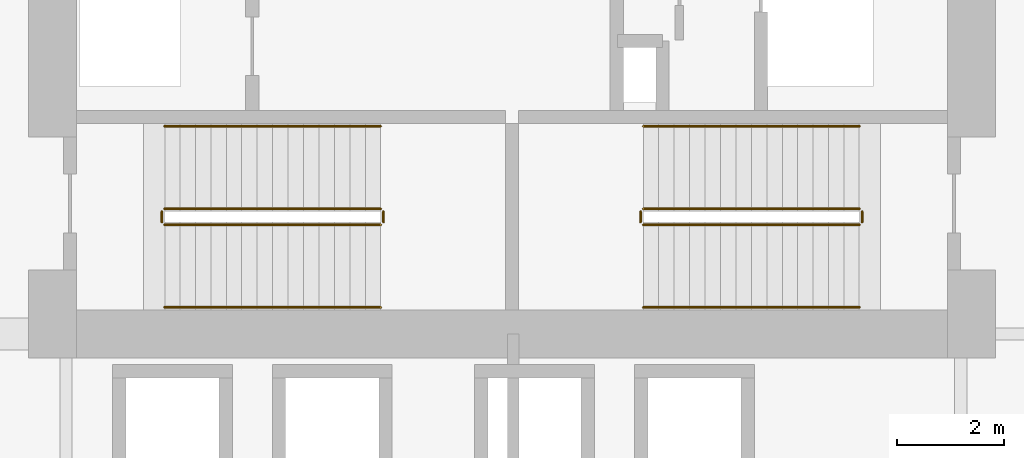
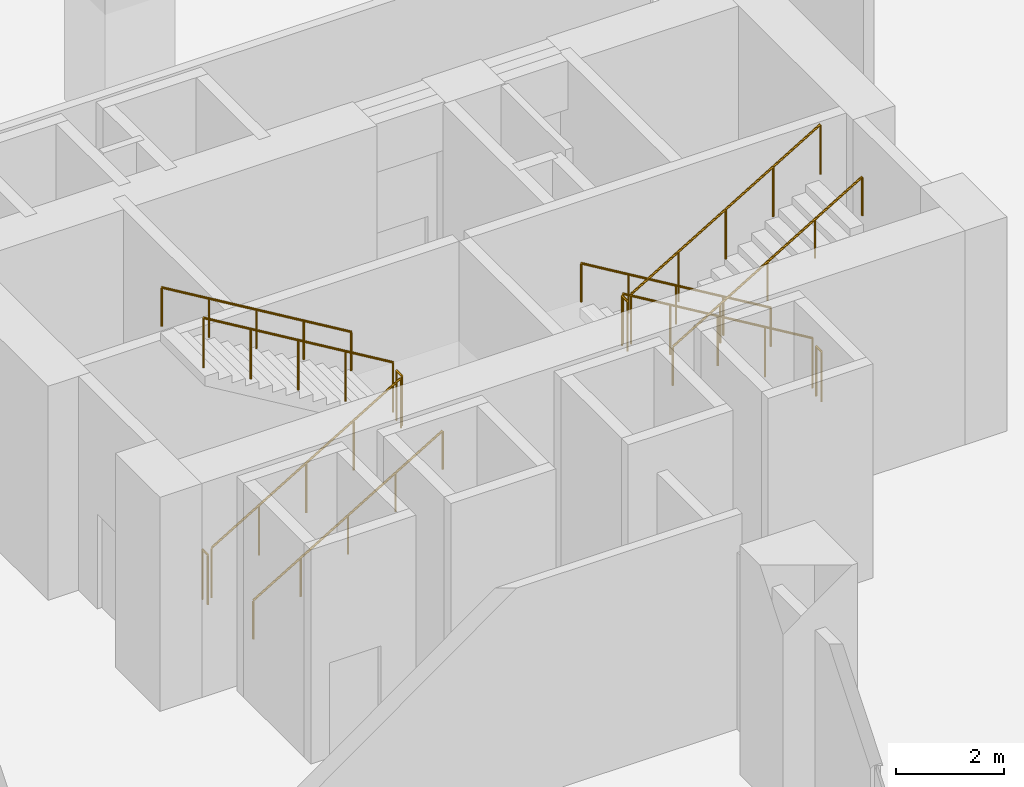
# One storey, part 17 of 19: 12 railings.
"""IFC4 building model written with IfcOpenShell, lengths in metres."""

from ifc_helpers import new_model, si_unit, direction, frame, origin, origin_2d, place, context, subcontext, project, spatial, circle, extrude, material, type_object, element, save


model = new_model("IFC4")

# Units and contexts
model_context = context("Model", 3, precision=1e-05, world=origin(), true_north=direction((0.0, 1.0)))
body_context = subcontext(model_context, "Body", "Model", "MODEL_VIEW")
ifc_project = project(units=[si_unit("LENGTHUNIT", "METRE"), si_unit("AREAUNIT", "SQUARE_METRE"), si_unit("VOLUMEUNIT", "CUBIC_METRE"), si_unit("PLANEANGLEUNIT", "RADIAN"), si_unit("MASSUNIT", "GRAM", prefix="KILO")], contexts=[model_context])

# Site, building, storey
site_placement = place(None, origin())
site = spatial("IfcSite", under=ifc_project, at=site_placement, CompositionType="ELEMENT")
building_placement = place(site_placement, origin())
building = spatial("IfcBuilding", under=site, at=building_placement, Name="Koriwani Terraces Tower", CompositionType="ELEMENT")
storey_placement = place(building_placement, frame((0.0, 0.0, 15.60009765625)))
storey = spatial("IfcBuildingStorey", under=building, at=storey_placement, Name="L03", CompositionType="ELEMENT", Elevation=15.60009765625)

# Railings
ifc_material = material(Name="Steel ASTM A572 Grade 50", Category="steel")
railing_type_1 = type_object("IfcRailingType", Name="GUARD_STAIR_WELL_1120", PredefinedType="GUARDRAIL", material=ifc_material)
railing_1_placement = place(storey_placement, frame((43.85009765625, 18.85009765625, 0.17333984375)))
element("IfcRailing", 1, at=railing_1_placement, inside=storey, type_object=railing_type_1, Name="L03 ST-E1 stair guard 1", PredefinedType="GUARDRAIL", context=body_context, shape_type="SweptSolid", body=[
    extrude(circle(Radius=0.02392578125, at=origin_2d()), frame((0.0, 0.0, 1.1259765625), z_axis=(0.858366167383, 0.0, 0.513037545109), x_axis=(0.0, 1.0, 0.0)), (0.0, 0.0, 1.0), 4.729736328125),
    extrude(circle(Radius=0.02099609375, at=origin_2d()), origin(), (0.0, 0.0, 1.0), 1.101806640625),
    extrude(circle(Radius=0.02099609375, at=origin_2d()), frame((1.014892578125, 0.0, 0.606689453125)), (0.0, 0.0, 1.0), 1.101806640625),
    extrude(circle(Radius=0.02099609375, at=origin_2d()), frame((2.02978515625, 0.0, 1.21337890625)), (0.0, 0.0, 1.0), 1.101806640625),
    extrude(circle(Radius=0.02099609375, at=origin_2d()), frame((3.044921875, 0.0, 1.81982421875)), (0.0, 0.0, 1.0), 1.101806640625),
    extrude(circle(Radius=0.02099609375, at=origin_2d()), frame((4.059814453125, 0.0, 2.426513671875)), (0.0, 0.0, 1.0), 1.101806640625),
])
railing_2_placement = place(storey_placement, frame((47.9599609375, 18.89990234375, 2.599853515625)))
element("IfcRailing", 2, at=railing_2_placement, inside=storey, type_object=railing_type_1, Name="L03 ST-E1 stair guard 2", PredefinedType="GUARDRAIL", context=body_context, shape_type="SweptSolid", body=[
    extrude(circle(Radius=0.02392578125, at=origin_2d()), frame((0.0, 0.0, 1.1259765625), z_axis=(0.0, 1.0, 0.0), x_axis=(-1.0, 0.0, 0.0)), (0.0, 0.0, 1.0), 0.2001953125),
    extrude(circle(Radius=0.02099609375, at=origin_2d()), origin(), (0.0, 0.0, 1.0), 1.101806640625),
    extrude(circle(Radius=0.02099609375, at=origin_2d()), frame((0.0, 0.2001953125, 0.0)), (0.0, 0.0, 1.0), 1.101806640625),
])
railing_3_placement = place(storey_placement, frame((47.909912109375, 19.14990234375, 2.773193359375)))
element("IfcRailing", 3, at=railing_3_placement, inside=storey, type_object=railing_type_1, Name="L03 ST-E1 stair guard 3", PredefinedType="GUARDRAIL", context=body_context, shape_type="SweptSolid", body=[
    extrude(circle(Radius=0.02392578125, at=origin_2d()), frame((0.0, 0.0, 1.1259765625), z_axis=(-0.858343435637, 0.0, 0.513075575815), x_axis=(0.0, -1.0, 0.0)), (0.0, 0.0, 1.0), 4.729736328125),
    extrude(circle(Radius=0.02099609375, at=origin_2d()), origin(), (0.0, 0.0, 1.0), 1.101806640625),
    extrude(circle(Radius=0.02099609375, at=origin_2d()), frame((-1.014892578125, 0.0, 0.606689453125)), (0.0, 0.0, 1.0), 1.101806640625),
    extrude(circle(Radius=0.02099609375, at=origin_2d()), frame((-2.02978515625, 0.0, 1.21337890625)), (0.0, 0.0, 1.0), 1.101806640625),
    extrude(circle(Radius=0.02099609375, at=origin_2d()), frame((-3.044921875, 0.0, 1.820068359375)), (0.0, 0.0, 1.0), 1.101806640625),
    extrude(circle(Radius=0.02099609375, at=origin_2d()), frame((-4.059814453125, 0.0, 2.4267578125)), (0.0, 0.0, 1.0), 1.101806640625),
])
railing_4_placement = place(storey_placement, frame((43.800048828125, 18.89990234375, 0.0)))
element("IfcRailing", 4, at=railing_4_placement, inside=storey, type_object=railing_type_1, Name="L03 ST-E1 stair guard 4", PredefinedType="GUARDRAIL", context=body_context, shape_type="SweptSolid", body=[
    extrude(circle(Radius=0.02392578125, at=origin_2d()), frame((0.0, 0.0, 1.1259765625), z_axis=(0.0, 1.0, 0.0), x_axis=(-1.0, 0.0, 0.0)), (0.0, 0.0, 1.0), 0.2001953125),
    extrude(circle(Radius=0.02099609375, at=origin_2d()), origin(), (0.0, 0.0, 1.0), 1.101806640625),
    extrude(circle(Radius=0.02099609375, at=origin_2d()), frame((0.0, 0.2001953125, 0.0)), (0.0, 0.0, 1.0), 1.101806640625),
])
railing_5_placement = place(storey_placement, frame((56.89990234375, 19.14990234375, 0.17333984375)))
element("IfcRailing", 5, at=railing_5_placement, inside=storey, type_object=railing_type_1, Name="L03 ST-E2 stair guard 1", PredefinedType="GUARDRAIL", context=body_context, shape_type="SweptSolid", body=[
    extrude(circle(Radius=0.02392578125, at=origin_2d()), frame((0.0, 0.0, 1.1259765625), z_axis=(-0.858366167383, 0.0, 0.513037545109), x_axis=(0.0, -1.0, 0.0)), (0.0, 0.0, 1.0), 4.729736328125),
    extrude(circle(Radius=0.02099609375, at=origin_2d()), origin(), (0.0, 0.0, 1.0), 1.101806640625),
    extrude(circle(Radius=0.02099609375, at=origin_2d()), frame((-1.014892578125, 0.0, 0.606689453125)), (0.0, 0.0, 1.0), 1.101806640625),
    extrude(circle(Radius=0.02099609375, at=origin_2d()), frame((-2.02978515625, 0.0, 1.21337890625)), (0.0, 0.0, 1.0), 1.101806640625),
    extrude(circle(Radius=0.02099609375, at=origin_2d()), frame((-3.044921875, 0.0, 1.81982421875)), (0.0, 0.0, 1.0), 1.101806640625),
    extrude(circle(Radius=0.02099609375, at=origin_2d()), frame((-4.059814453125, 0.0, 2.426513671875)), (0.0, 0.0, 1.0), 1.101806640625),
])
railing_6_placement = place(storey_placement, frame((52.7900390625, 19.10009765625, 2.599853515625)))
element("IfcRailing", 6, at=railing_6_placement, inside=storey, type_object=railing_type_1, Name="L03 ST-E2 stair guard 2", PredefinedType="GUARDRAIL", context=body_context, shape_type="SweptSolid", body=[
    extrude(circle(Radius=0.02392578125, at=origin_2d()), frame((0.0, 0.0, 1.1259765625), z_axis=(0.0, -1.0, 0.0), x_axis=(1.0, 0.0, 0.0)), (0.0, 0.0, 1.0), 0.2001953125),
    extrude(circle(Radius=0.02099609375, at=origin_2d()), origin(), (0.0, 0.0, 1.0), 1.101806640625),
    extrude(circle(Radius=0.02099609375, at=origin_2d()), frame((0.0, -0.2001953125, 0.0)), (0.0, 0.0, 1.0), 1.101806640625),
])
railing_7_placement = place(storey_placement, frame((52.840087890625, 18.85009765625, 2.773193359375)))
element("IfcRailing", 7, at=railing_7_placement, inside=storey, type_object=railing_type_1, Name="L03 ST-E2 stair guard 3", PredefinedType="GUARDRAIL", context=body_context, shape_type="SweptSolid", body=[
    extrude(circle(Radius=0.02392578125, at=origin_2d()), frame((0.0, 0.0, 1.1259765625), z_axis=(0.858343435637, 0.0, 0.513075575815), x_axis=(0.0, 1.0, 0.0)), (0.0, 0.0, 1.0), 4.729736328125),
    extrude(circle(Radius=0.02099609375, at=origin_2d()), origin(), (0.0, 0.0, 1.0), 1.101806640625),
    extrude(circle(Radius=0.02099609375, at=origin_2d()), frame((1.014892578125, 0.0, 0.606689453125)), (0.0, 0.0, 1.0), 1.101806640625),
    extrude(circle(Radius=0.02099609375, at=origin_2d()), frame((2.02978515625, 0.0, 1.21337890625)), (0.0, 0.0, 1.0), 1.101806640625),
    extrude(circle(Radius=0.02099609375, at=origin_2d()), frame((3.044921875, 0.0, 1.820068359375)), (0.0, 0.0, 1.0), 1.101806640625),
    extrude(circle(Radius=0.02099609375, at=origin_2d()), frame((4.059814453125, 0.0, 2.4267578125)), (0.0, 0.0, 1.0), 1.101806640625),
])
railing_8_placement = place(storey_placement, frame((56.949951171875, 19.10009765625, 0.0)))
element("IfcRailing", 8, at=railing_8_placement, inside=storey, type_object=railing_type_1, Name="L03 ST-E2 stair guard 4", PredefinedType="GUARDRAIL", context=body_context, shape_type="SweptSolid", body=[
    extrude(circle(Radius=0.02392578125, at=origin_2d()), frame((0.0, 0.0, 1.1259765625), z_axis=(0.0, -1.0, 0.0), x_axis=(1.0, 0.0, 0.0)), (0.0, 0.0, 1.0), 0.2001953125),
    extrude(circle(Radius=0.02099609375, at=origin_2d()), origin(), (0.0, 0.0, 1.0), 1.101806640625),
    extrude(circle(Radius=0.02099609375, at=origin_2d()), frame((0.0, -0.2001953125, 0.0)), (0.0, 0.0, 1.0), 1.101806640625),
])
railing_type_2 = type_object("IfcRailingType", Name="HANDRAIL_STAIR_920", PredefinedType="HANDRAIL", material=ifc_material)
railing_9_placement = place(storey_placement, frame((43.85009765625, 17.300048828125, 0.17333984375)))
element("IfcRailing", 9, at=railing_9_placement, inside=storey, type_object=railing_type_2, Name="L03 ST-E1 stair handrail 1", PredefinedType="HANDRAIL", context=body_context, shape_type="SweptSolid", body=[
    extrude(circle(Radius=0.02392578125, at=origin_2d()), frame((0.0, 0.0, 0.8759765625), z_axis=(0.858366167383, 0.0, 0.513037545109), x_axis=(0.0, 1.0, 0.0)), (0.0, 0.0, 1.0), 4.729736328125),
    extrude(circle(Radius=0.02099609375, at=origin_2d()), origin(), (0.0, 0.0, 1.0), 0.851806640625),
    extrude(circle(Radius=0.02099609375, at=origin_2d()), frame((1.014892578125, 0.0, 0.606689453125)), (0.0, 0.0, 1.0), 0.851806640625),
    extrude(circle(Radius=0.02099609375, at=origin_2d()), frame((2.02978515625, 0.0, 1.21337890625)), (0.0, 0.0, 1.0), 0.851806640625),
    extrude(circle(Radius=0.02099609375, at=origin_2d()), frame((3.044921875, 0.0, 1.81982421875)), (0.0, 0.0, 1.0), 0.851806640625),
    extrude(circle(Radius=0.02099609375, at=origin_2d()), frame((4.059814453125, 0.0, 2.426513671875)), (0.0, 0.0, 1.0), 0.851806640625),
])
railing_10_placement = place(storey_placement, frame((47.909912109375, 20.699951171875, 2.773193359375)))
element("IfcRailing", 10, at=railing_10_placement, inside=storey, type_object=railing_type_2, Name="L03 ST-E1 stair handrail 2", PredefinedType="HANDRAIL", context=body_context, shape_type="SweptSolid", body=[
    extrude(circle(Radius=0.02392578125, at=origin_2d()), frame((0.0, 0.0, 0.8759765625), z_axis=(-0.858343435637, 0.0, 0.513075575815), x_axis=(0.0, -1.0, 0.0)), (0.0, 0.0, 1.0), 4.729736328125),
    extrude(circle(Radius=0.02099609375, at=origin_2d()), origin(), (0.0, 0.0, 1.0), 0.851806640625),
    extrude(circle(Radius=0.02099609375, at=origin_2d()), frame((-1.014892578125, 0.0, 0.606689453125)), (0.0, 0.0, 1.0), 0.851806640625),
    extrude(circle(Radius=0.02099609375, at=origin_2d()), frame((-2.02978515625, 0.0, 1.21337890625)), (0.0, 0.0, 1.0), 0.851806640625),
    extrude(circle(Radius=0.02099609375, at=origin_2d()), frame((-3.044921875, 0.0, 1.820068359375)), (0.0, 0.0, 1.0), 0.851806640625),
    extrude(circle(Radius=0.02099609375, at=origin_2d()), frame((-4.059814453125, 0.0, 2.4267578125)), (0.0, 0.0, 1.0), 0.851806640625),
])
railing_11_placement = place(storey_placement, frame((56.89990234375, 20.699951171875, 0.17333984375)))
element("IfcRailing", 11, at=railing_11_placement, inside=storey, type_object=railing_type_2, Name="L03 ST-E2 stair handrail 1", PredefinedType="HANDRAIL", context=body_context, shape_type="SweptSolid", body=[
    extrude(circle(Radius=0.02392578125, at=origin_2d()), frame((0.0, 0.0, 0.8759765625), z_axis=(-0.858366167383, 0.0, 0.513037545109), x_axis=(0.0, -1.0, 0.0)), (0.0, 0.0, 1.0), 4.729736328125),
    extrude(circle(Radius=0.02099609375, at=origin_2d()), origin(), (0.0, 0.0, 1.0), 0.851806640625),
    extrude(circle(Radius=0.02099609375, at=origin_2d()), frame((-1.014892578125, 0.0, 0.606689453125)), (0.0, 0.0, 1.0), 0.851806640625),
    extrude(circle(Radius=0.02099609375, at=origin_2d()), frame((-2.02978515625, 0.0, 1.21337890625)), (0.0, 0.0, 1.0), 0.851806640625),
    extrude(circle(Radius=0.02099609375, at=origin_2d()), frame((-3.044921875, 0.0, 1.81982421875)), (0.0, 0.0, 1.0), 0.851806640625),
    extrude(circle(Radius=0.02099609375, at=origin_2d()), frame((-4.059814453125, 0.0, 2.426513671875)), (0.0, 0.0, 1.0), 0.851806640625),
])
railing_12_placement = place(storey_placement, frame((52.840087890625, 17.300048828125, 2.773193359375)))
element("IfcRailing", 12, at=railing_12_placement, inside=storey, type_object=railing_type_2, Name="L03 ST-E2 stair handrail 2", PredefinedType="HANDRAIL", context=body_context, shape_type="SweptSolid", body=[
    extrude(circle(Radius=0.02392578125, at=origin_2d()), frame((0.0, 0.0, 0.8759765625), z_axis=(0.858343435637, 0.0, 0.513075575815), x_axis=(0.0, 1.0, 0.0)), (0.0, 0.0, 1.0), 4.729736328125),
    extrude(circle(Radius=0.02099609375, at=origin_2d()), origin(), (0.0, 0.0, 1.0), 0.851806640625),
    extrude(circle(Radius=0.02099609375, at=origin_2d()), frame((1.014892578125, 0.0, 0.606689453125)), (0.0, 0.0, 1.0), 0.851806640625),
    extrude(circle(Radius=0.02099609375, at=origin_2d()), frame((2.02978515625, 0.0, 1.21337890625)), (0.0, 0.0, 1.0), 0.851806640625),
    extrude(circle(Radius=0.02099609375, at=origin_2d()), frame((3.044921875, 0.0, 1.820068359375)), (0.0, 0.0, 1.0), 0.851806640625),
    extrude(circle(Radius=0.02099609375, at=origin_2d()), frame((4.059814453125, 0.0, 2.4267578125)), (0.0, 0.0, 1.0), 0.851806640625),
])

save(model, "model.ifc")
